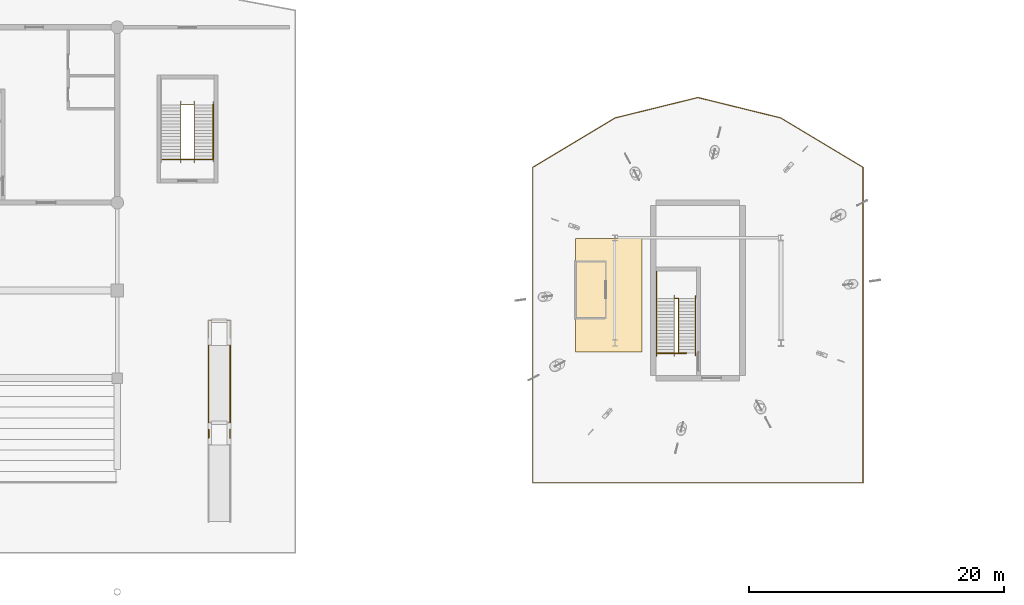
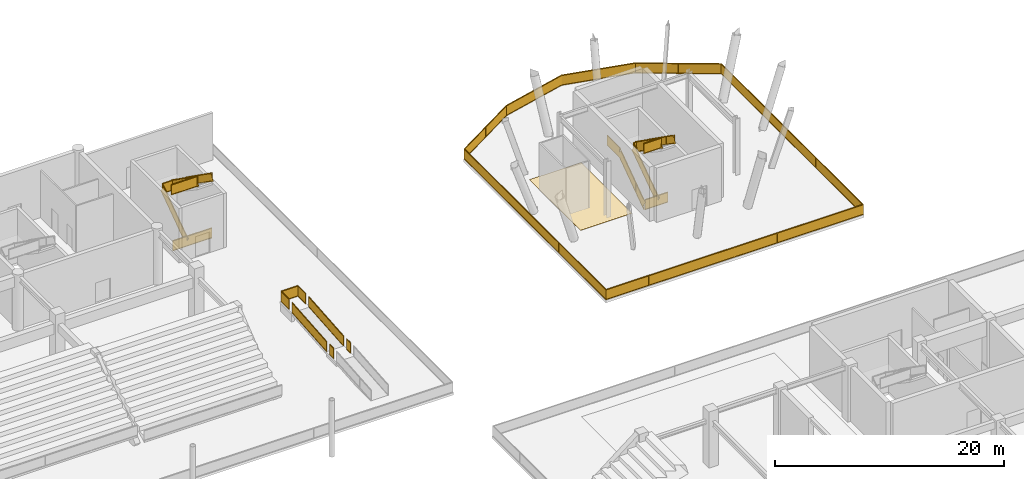
# One storey, part 72 of 73: 13 railings, 1 covering.
"""IFC4 building model written with IfcOpenShell, lengths in metres."""

import ifcopenshell
import ifcopenshell.guid

model = None  # the IFC model being written
_history = None  # IfcOwnerHistory: only IFC2X3 demands one
_inside = {}  # id of a spatial element -> (the spatial element, [elements in it])
_under = {}  # id of a project, library or spatial element -> (it, [spatial elements below it])
_declared = {}  # id of a project -> (the project, [libraries it declares])
_typed = {}  # id of a type object -> (the type object, [elements of that type])
_made_of = {}  # id of a material, layer set ... -> (it, [elements and type objects made of it])


def new_model(schema):
    """Start an empty IFC model of exactly this schema.

    Asked for "IFC4X3", IfcOpenShell would pick the latest addendum, in which some entities
    have other attributes; the version numbers below select the first issue.
    IFC2X3 requires an IfcOwnerHistory on every rooted entity: one is made here for all.
    """
    global model, _history
    if schema == "IFC4X3":
        model = ifcopenshell.file(schema_version=(4, 3, 0, 0))
    else:
        model = ifcopenshell.file(schema=schema)
    _inside.clear()
    _under.clear()
    _declared.clear()
    _typed.clear()
    _made_of.clear()
    _history = None
    if model.schema == "IFC2X3":
        org = make("IfcOrganization", Name="unknown")
        user = make(
            "IfcPersonAndOrganization",
            ThePerson=make("IfcPerson", FamilyName="unknown"),
            TheOrganization=org,
        )
        app = make(
            "IfcApplication",
            ApplicationDeveloper=org,
            Version="unknown",
            ApplicationFullName="unknown",
            ApplicationIdentifier="unknown",
        )
        _history = make(
            "IfcOwnerHistory",
            OwningUser=user,
            OwningApplication=app,
            ChangeAction="ADDED",
            CreationDate=0,
        )
    return model


def make(cls, **values):
    """One entity of the class cls with the attributes given. An attribute that is None is left unset."""
    return model.create_entity(
        cls, **{name: value for name, value in values.items() if value is not None}
    )


def rooted(cls, **values):
    """An entity with a GlobalId (a new one), such as an element, a storey or a relation."""
    return make(cls, GlobalId=ifcopenshell.guid.new(), OwnerHistory=_history, **values)


def si_unit(unit_type, name, prefix=None):
    """IfcSIUnit, for example si_unit("LENGTHUNIT", "METRE", prefix="MILLI")."""
    return make("IfcSIUnit", UnitType=unit_type, Prefix=prefix, Name=name)


def assignment(units):
    """IfcUnitAssignment: the units of a project."""
    return None if units is None else make("IfcUnitAssignment", Units=units)


def point(xyz):
    """IfcCartesianPoint."""
    return None if xyz is None else make("IfcCartesianPoint", Coordinates=xyz)


def direction(xyz):
    """IfcDirection."""
    return None if xyz is None else make("IfcDirection", DirectionRatios=xyz)


def frame(location, z_axis=None, x_axis=None):
    """IfcAxis2Placement3D, a coordinate frame: its origin and axes. An axis left out is left unset."""
    return make(
        "IfcAxis2Placement3D",
        Location=point(location),
        Axis=direction(z_axis),
        RefDirection=direction(x_axis),
    )


def frame_2d(location, x_axis=None):
    """IfcAxis2Placement2D, a coordinate frame in the plane: its origin and x axis."""
    return make(
        "IfcAxis2Placement2D", Location=point(location), RefDirection=direction(x_axis)
    )


def origin():
    """The frame at (0, 0, 0) with its axes left unset."""
    return frame((0.0, 0.0, 0.0))


def origin_2d():
    """The frame at (0, 0) in the plane with its x axis left unset."""
    return frame_2d((0.0, 0.0))


def place(relative_to, where):
    """IfcLocalPlacement: puts the frame where relative to a parent placement (None: the world)."""
    return make(
        "IfcLocalPlacement", PlacementRelTo=relative_to, RelativePlacement=where
    )


def context(
    kind, dimensions, precision=None, world=None, true_north=None, identifier=None
):
    """IfcGeometricRepresentationContext, for example the 3D "Model" context."""
    return make(
        "IfcGeometricRepresentationContext",
        ContextIdentifier=identifier,
        ContextType=kind,
        CoordinateSpaceDimension=dimensions,
        Precision=precision,
        WorldCoordinateSystem=world,
        TrueNorth=true_north,
    )


def subcontext(parent, identifier, kind, view, scale=None):
    """IfcGeometricRepresentationSubContext, for example "Body" below "Model"."""
    return make(
        "IfcGeometricRepresentationSubContext",
        ContextIdentifier=identifier,
        ContextType=kind,
        ParentContext=parent,
        TargetScale=scale,
        TargetView=view,
    )


def project(units=None, contexts=None):
    """IfcProject with its units and contexts."""
    return rooted(
        "IfcProject",
        Name="project",
        RepresentationContexts=contexts,
        UnitsInContext=assignment(units),
    )


def spatial(cls, under=None, at=None, **own):
    """A site, building, storey or space (cls), placed at a placement, below another one or the project."""
    s = rooted(cls, ObjectPlacement=at, **own)
    if under is not None:
        _under.setdefault(under.id(), (under, []))[1].append(s)
    return s


def polyline(points):
    """IfcPolyline through the points."""
    return make("IfcPolyline", Points=[point(p) for p in points])


def profile(cls, at=None, kind="AREA", **sizes):
    """A parametric profile (cls). Its sizes go by their IFC names, for example OverallWidth=200.0."""
    return make(cls, ProfileType=kind, Position=at, **sizes)


def rectangle(**sizes):
    """IfcRectangleProfileDef."""
    return profile("IfcRectangleProfileDef", **sizes)


def outline(outer, holes=None, kind="AREA"):
    """IfcArbitraryClosedProfileDef: a profile drawn as a closed curve; with holes, ...WithVoids."""
    if holes is None:
        return make("IfcArbitraryClosedProfileDef", ProfileType=kind, OuterCurve=outer)
    return make(
        "IfcArbitraryProfileDefWithVoids",
        ProfileType=kind,
        OuterCurve=outer,
        InnerCurves=holes,
    )


def extrude(swept, where, along, depth):
    """IfcExtrudedAreaSolid: the profile swept, set in the frame where, extruded along a direction by depth."""
    return make(
        "IfcExtrudedAreaSolid",
        SweptArea=swept,
        Position=where,
        ExtrudedDirection=direction(along),
        Depth=depth,
    )


def shape(context_of_items, identifier, shape_type, items):
    """IfcShapeRepresentation: the items that make up one representation, for example the "Body"."""
    return make(
        "IfcShapeRepresentation",
        ContextOfItems=context_of_items,
        RepresentationIdentifier=identifier,
        RepresentationType=shape_type,
        Items=items,
    )


def material(Name=None, Category=None):
    """IfcMaterial."""
    return make("IfcMaterial", Name=Name, Category=Category)


def layer(
    of_material, thickness, ventilated=None, Name=None, Category=None, Priority=None
):
    """IfcMaterialLayer: one layer of a wall or slab, of a material (None: an air gap)."""
    return make(
        "IfcMaterialLayer",
        Material=of_material,
        LayerThickness=thickness,
        IsVentilated=ventilated,
        Name=Name,
        Category=Category,
        Priority=Priority,
    )


def layer_set(layers, Name=None):
    """IfcMaterialLayerSet."""
    return make("IfcMaterialLayerSet", MaterialLayers=layers, LayerSetName=Name)


def made_of(thing, what):
    """Note that an element or type object is made of a material, layer set ...; save() writes the relation."""
    if what is not None:
        _made_of.setdefault(what.id(), (what, []))[1].append(thing)
    return thing


def type_object(cls, material=None, **own):
    """A type object (cls), such as IfcWallType, which elements share."""
    return made_of(rooted(cls, **own), material)


def element(
    cls,
    number,
    at=None,
    inside=None,
    cuts=None,
    type_object=None,
    material=None,
    context=None,
    identifier="Body",
    shape_type=None,
    held_by="IfcProductDefinitionShape",
    body=None,
    shapes=None,
    **own,
):
    """One element of the class cls, such as IfcWall. Its Tag is "e" and its number.

    at: its placement. inside: the storey or other place that contains it. cuts: it is an
    opening in that element (IfcRelVoidsElement). A single representation is given by context,
    identifier, shape_type and body (its items); several are given by shapes. held_by: the class
    of the entity that holds the representations. save() writes the other relations.
    """
    e = rooted(cls, Tag="e%d" % number, ObjectPlacement=at, **own)
    if body is not None:
        shapes = [shape(context, identifier, shape_type, body)]
    if shapes is not None:
        e.Representation = make(held_by, Representations=shapes)
    if inside is not None:
        _inside.setdefault(inside.id(), (inside, []))[1].append(e)
    if cuts is not None:
        rooted(
            "IfcRelVoidsElement", RelatingBuildingElement=cuts, RelatedOpeningElement=e
        )
    if type_object is not None:
        _typed.setdefault(type_object.id(), (type_object, []))[1].append(e)
    return made_of(e, material)


def aggregate(whole, parts):
    """IfcRelAggregates: a whole, such as a stair, and the parts it consists of."""
    return rooted("IfcRelAggregates", RelatingObject=whole, RelatedObjects=parts)


def save(model, path):
    """Write the relations noted so far, then the file.

    IfcRelAggregates (storeys below a building ...), IfcRelContainedInSpatialStructure (elements
    in a storey), IfcRelDefinesByType, IfcRelAssociatesMaterial and IfcRelDeclares: one each for
    every whole, place, type object, material and project.
    """
    for whole, parts in _under.values():
        aggregate(whole, parts)
    for where, things in _inside.values():
        rooted(
            "IfcRelContainedInSpatialStructure",
            RelatedElements=things,
            RelatingStructure=where,
        )
    for kind, things in _typed.values():
        rooted("IfcRelDefinesByType", RelatedObjects=things, RelatingType=kind)
    for what, things in _made_of.values():
        rooted("IfcRelAssociatesMaterial", RelatedObjects=things, RelatingMaterial=what)
    for by, libraries in _declared.values():
        rooted("IfcRelDeclares", RelatingContext=by, RelatedDefinitions=libraries)
    model.write(path)


model = new_model("IFC4")

# Units and contexts
model_context = context("Model", 3, precision=1e-05, world=origin(), true_north=direction((0.0, 1.0)))
body_context = subcontext(model_context, "Body", "Model", "MODEL_VIEW")
ifc_project = project(units=[si_unit("LENGTHUNIT", "METRE"), si_unit("AREAUNIT", "SQUARE_METRE"), si_unit("VOLUMEUNIT", "CUBIC_METRE"), si_unit("PLANEANGLEUNIT", "RADIAN"), si_unit("MASSUNIT", "GRAM", prefix="KILO")], contexts=[model_context])

# Site, building, storey
site_placement = place(None, origin())
site = spatial("IfcSite", under=ifc_project, at=site_placement, CompositionType="ELEMENT")
building_placement = place(site_placement, origin())
building = spatial("IfcBuilding", under=site, at=building_placement, Name="Linyun Crest Stadium", CompositionType="ELEMENT")
storey_placement = place(building_placement, origin())
storey = spatial("IfcBuildingStorey", under=building, at=storey_placement, Name="L01", CompositionType="ELEMENT", Elevation=0.0)

# Covering
ifc_material_1 = material(Name="Polymeric cushioned multi-sport athletic flooring")
ifc_layer = layer(ifc_material_1, 0.01806640625)
ifc_layer_set = layer_set([ifc_layer], Name="Polymeric cushioned multi-sport athletic flooring")
covering_type = type_object("IfcCoveringType", Name="FLR01", PredefinedType="FLOORING", material=ifc_layer_set)
covering_placement = place(storey_placement, origin())
element("IfcCovering", 1, at=covering_placement, inside=storey, type_object=covering_type, Name="Athletic flooring FLR01 69", PredefinedType="FLOORING", context=body_context, shape_type="SweptSolid", body=[
    extrude(outline(polyline([(63.89990234375, 79.800048828125), (69.10009765625, 79.800048828125), (69.10009765625, 88.699951171875), (63.89990234375, 88.699951171875), (63.89990234375, 79.800048828125)])), origin(), (0.0, 0.0, 1.0), 0.01806640625),
])

# Railings
ifc_material_2 = material(Name="Verdigris painted steel botanical balustrade", Category="steel")
railing_type_1 = type_object("IfcRailingType", Name="GR01", PredefinedType="BALUSTRADE", material=ifc_material_2)
railing_1_placement = place(storey_placement, frame((35.159912109375, 73.077880859375, 0.5)))
element("IfcRailing", 2, at=railing_1_placement, inside=storey, type_object=railing_type_1, Name="Slab edge balustrade GR01 409", PredefinedType="BALUSTRADE", context=body_context, shape_type="SweptSolid", body=[
    extrude(rectangle(XDim=0.06005859375, YDim=0.06005859375, at=origin_2d()), frame((0.0, 0.0, 1.119873046875), z_axis=(0.0, 1.0, 0.0), x_axis=(-1.0, 0.0, 0.0)), (0.0, 0.0, 1.0), 0.64404296875),
    extrude(rectangle(XDim=0.030029296875, YDim=1.02978515625, at=origin_2d()), frame((0.0, 0.0, 0.574951171875), z_axis=(0.0, 1.0, 0.0), x_axis=(-1.0, 0.0, 0.0)), (0.0, 0.0, 1.0), 0.64404296875),
    extrude(rectangle(XDim=0.06005859375, YDim=0.06005859375, at=origin_2d()), frame((0.0, 0.0, 0.030029296875), z_axis=(0.0, 1.0, 0.0), x_axis=(-1.0, 0.0, 0.0)), (0.0, 0.0, 1.0), 0.64404296875),
    extrude(rectangle(XDim=0.050048828125, YDim=0.050048828125, at=origin_2d()), origin(), (0.0, 0.0, 1.0), 1.14990234375),
    extrude(rectangle(XDim=0.050048828125, YDim=0.050048828125, at=origin_2d()), frame((0.0, 0.64404296875, 0.0)), (0.0, 0.0, 1.0), 1.14990234375),
])
railing_2_placement = place(storey_placement, frame((36.840087890625, 73.721923828125, 0.5)))
element("IfcRailing", 3, at=railing_2_placement, inside=storey, type_object=railing_type_1, Name="Slab edge balustrade GR01 410", PredefinedType="BALUSTRADE", context=body_context, shape_type="SweptSolid", body=[
    extrude(rectangle(XDim=0.06005859375, YDim=0.06005859375, at=origin_2d()), frame((0.0, 0.0, 1.119873046875), z_axis=(0.0, -1.0, 0.0), x_axis=(1.0, 0.0, 0.0)), (0.0, 0.0, 1.0), 0.64404296875),
    extrude(rectangle(XDim=0.030029296875, YDim=1.02978515625, at=origin_2d()), frame((0.0, 0.0, 0.574951171875), z_axis=(0.0, -1.0, 0.0), x_axis=(1.0, 0.0, 0.0)), (0.0, 0.0, 1.0), 0.64404296875),
    extrude(rectangle(XDim=0.06005859375, YDim=0.06005859375, at=origin_2d()), frame((0.0, 0.0, 0.030029296875), z_axis=(0.0, -1.0, 0.0), x_axis=(1.0, 0.0, 0.0)), (0.0, 0.0, 1.0), 0.64404296875),
    extrude(rectangle(XDim=0.050048828125, YDim=0.050048828125, at=origin_2d()), origin(), (0.0, 0.0, 1.0), 1.14990234375),
    extrude(rectangle(XDim=0.050048828125, YDim=0.050048828125, at=origin_2d()), frame((0.0, -0.64404296875, 0.0)), (0.0, 0.0, 1.0), 1.14990234375),
])
railing_3_placement = place(storey_placement, frame((35.159912109375, 80.8779296875, 1.0)))
element("IfcRailing", 4, at=railing_3_placement, inside=storey, type_object=railing_type_1, Name="Slab edge balustrade GR01 411", PredefinedType="BALUSTRADE", context=body_context, shape_type="SweptSolid", body=[
    extrude(rectangle(XDim=0.06005859375, YDim=0.06005859375, at=origin_2d()), frame((0.0, 0.0, 1.119873046875), z_axis=(0.0, 1.0, 0.0), x_axis=(-1.0, 0.0, 0.0)), (0.0, 0.0, 1.0), 1.362060546875),
    extrude(rectangle(XDim=0.030029296875, YDim=1.02978515625, at=origin_2d()), frame((0.0, 0.0, 0.574951171875), z_axis=(0.0, 1.0, 0.0), x_axis=(-1.0, 0.0, 0.0)), (0.0, 0.0, 1.0), 1.362060546875),
    extrude(rectangle(XDim=0.06005859375, YDim=0.06005859375, at=origin_2d()), frame((0.0, 0.0, 0.030029296875), z_axis=(0.0, 1.0, 0.0), x_axis=(-1.0, 0.0, 0.0)), (0.0, 0.0, 1.0), 1.362060546875),
    extrude(rectangle(XDim=0.06005859375, YDim=0.06005859375, at=origin_2d()), frame((0.0, 1.362060546875, 1.119873046875), z_axis=(1.0, 0.0, 0.0), x_axis=(0.0, 1.0, 0.0)), (0.0, 0.0, 1.0), 1.68017578125),
    extrude(rectangle(XDim=0.030029296875, YDim=1.02978515625, at=origin_2d()), frame((0.0, 1.362060546875, 0.574951171875), z_axis=(1.0, 0.0, 0.0), x_axis=(0.0, 1.0, 0.0)), (0.0, 0.0, 1.0), 1.68017578125),
    extrude(rectangle(XDim=0.06005859375, YDim=0.06005859375, at=origin_2d()), frame((0.0, 1.362060546875, 0.030029296875), z_axis=(1.0, 0.0, 0.0), x_axis=(0.0, 1.0, 0.0)), (0.0, 0.0, 1.0), 1.68017578125),
    extrude(rectangle(XDim=0.06005859375, YDim=0.06005859375, at=origin_2d()), frame((1.68017578125, 1.362060546875, 1.119873046875), z_axis=(0.0, -1.0, 0.0), x_axis=(1.0, 0.0, 0.0)), (0.0, 0.0, 1.0), 1.362060546875),
    extrude(rectangle(XDim=0.030029296875, YDim=1.02978515625, at=origin_2d()), frame((1.68017578125, 1.362060546875, 0.574951171875), z_axis=(0.0, -1.0, 0.0), x_axis=(1.0, 0.0, 0.0)), (0.0, 0.0, 1.0), 1.362060546875),
    extrude(rectangle(XDim=0.06005859375, YDim=0.06005859375, at=origin_2d()), frame((1.68017578125, 1.362060546875, 0.030029296875), z_axis=(0.0, -1.0, 0.0), x_axis=(1.0, 0.0, 0.0)), (0.0, 0.0, 1.0), 1.362060546875),
    extrude(rectangle(XDim=0.050048828125, YDim=0.050048828125, at=origin_2d()), origin(), (0.0, 0.0, 1.0), 1.14990234375),
    extrude(rectangle(XDim=0.050048828125, YDim=0.050048828125, at=origin_2d()), frame((0.0, 1.362060546875, 0.0)), (0.0, 0.0, 1.0), 1.14990234375),
    extrude(rectangle(XDim=0.050048828125, YDim=0.050048828125, at=origin_2d()), frame((1.68017578125, 1.362060546875, 0.0)), (0.0, 0.0, 1.0), 1.14990234375),
    extrude(rectangle(XDim=0.050048828125, YDim=0.050048828125, at=origin_2d()), frame((1.68017578125, 0.0, 0.0)), (0.0, 0.0, 1.0), 1.14990234375),
])
ifc_material_3 = material(Name="Galvanized and powder-coated steel bowl safety barrier", Category="steel")
railing_type_2 = type_object("IfcRailingType", Name="GR02", PredefinedType="GUARDRAIL", material=ifc_material_3)
railing_4_placement = place(storey_placement, frame((31.5400390625, 94.889892578125, 0.0)))
element("IfcRailing", 5, at=railing_4_placement, inside=storey, type_object=railing_type_2, Name="Slab edge balustrade GR02 192", PredefinedType="GUARDRAIL", context=body_context, shape_type="SweptSolid", body=[
    extrude(rectangle(XDim=0.06005859375, YDim=0.06005859375, at=origin_2d()), frame((0.0, 0.0, 1.090087890625), z_axis=(1.0, 0.0, 0.0), x_axis=(0.0, 1.0, 0.0)), (0.0, 0.0, 1.0), 3.919921875),
    extrude(rectangle(XDim=0.030029296875, YDim=1.0, at=origin_2d()), frame((0.0, 0.0, 0.56005859375), z_axis=(1.0, 0.0, 0.0), x_axis=(0.0, 1.0, 0.0)), (0.0, 0.0, 1.0), 3.919921875),
    extrude(rectangle(XDim=0.06005859375, YDim=0.06005859375, at=origin_2d()), frame((0.0, 0.0, 0.030029296875), z_axis=(1.0, 0.0, 0.0), x_axis=(0.0, 1.0, 0.0)), (0.0, 0.0, 1.0), 3.919921875),
    extrude(rectangle(XDim=0.050048828125, YDim=0.050048828125, at=origin_2d()), origin(), (0.0, 0.0, 1.0), 1.1201171875),
    extrude(rectangle(XDim=0.050048828125, YDim=0.050048828125, at=origin_2d()), frame((3.919921875, 0.0, 0.0)), (0.0, 0.0, 1.0), 1.1201171875),
])
railing_5_placement = place(storey_placement, frame((60.56005859375, 69.56005859375, 0.0)))
element("IfcRailing", 6, at=railing_5_placement, inside=storey, type_object=railing_type_2, Name="Slab edge balustrade GR02 331", PredefinedType="GUARDRAIL", context=body_context, shape_type="SweptSolid", body=[
    extrude(rectangle(XDim=0.06005859375, YDim=0.06005859375, at=origin_2d()), frame((0.0, 0.0, 1.090087890625), z_axis=(0.0, 1.0, 0.0), x_axis=(-1.0, 0.0, 0.0)), (0.0, 0.0, 1.0), 24.7060546875),
    extrude(rectangle(XDim=0.030029296875, YDim=1.0, at=origin_2d()), frame((0.0, 0.0, 0.56005859375), z_axis=(0.0, 1.0, 0.0), x_axis=(-1.0, 0.0, 0.0)), (0.0, 0.0, 1.0), 24.7060546875),
    extrude(rectangle(XDim=0.06005859375, YDim=0.06005859375, at=origin_2d()), frame((0.0, 0.0, 0.030029296875), z_axis=(0.0, 1.0, 0.0), x_axis=(-1.0, 0.0, 0.0)), (0.0, 0.0, 1.0), 24.7060546875),
    extrude(rectangle(XDim=0.06005859375, YDim=0.06005859375, at=origin_2d()), frame((0.0, 24.7060546875, 1.090087890625), z_axis=(0.857481493024, 0.514514809429, 0.0), x_axis=(-0.514514809429, 0.857481493024, 0.0)), (0.0, 0.0, 1.0), 7.537109375),
    extrude(rectangle(XDim=0.030029296875, YDim=1.0, at=origin_2d()), frame((0.0, 24.7060546875, 0.56005859375), z_axis=(0.857481493024, 0.514514809429, 0.0), x_axis=(-0.514514809429, 0.857481493024, 0.0)), (0.0, 0.0, 1.0), 7.537109375),
    extrude(rectangle(XDim=0.06005859375, YDim=0.06005859375, at=origin_2d()), frame((0.0, 24.7060546875, 0.030029296875), z_axis=(0.857481493024, 0.514514809429, 0.0), x_axis=(-0.514514809429, 0.857481493024, 0.0)), (0.0, 0.0, 1.0), 7.537109375),
    extrude(rectangle(XDim=0.06005859375, YDim=0.06005859375, at=origin_2d()), frame((6.462890625, 28.583984375, 1.090087890625), z_axis=(0.971027293085, 0.238968608992, 0.0), x_axis=(-0.238968608992, 0.971027293085, 0.0)), (0.0, 0.0, 1.0), 6.67041015625),
    extrude(rectangle(XDim=0.030029296875, YDim=1.0, at=origin_2d()), frame((6.462890625, 28.583984375, 0.56005859375), z_axis=(0.971027293085, 0.238968608992, 0.0), x_axis=(-0.238968608992, 0.971027293085, 0.0)), (0.0, 0.0, 1.0), 6.67041015625),
    extrude(rectangle(XDim=0.06005859375, YDim=0.06005859375, at=origin_2d()), frame((6.462890625, 28.583984375, 0.030029296875), z_axis=(0.971027293085, 0.238968608992, 0.0), x_axis=(-0.238968608992, 0.971027293085, 0.0)), (0.0, 0.0, 1.0), 6.67041015625),
    extrude(rectangle(XDim=0.06005859375, YDim=0.06005859375, at=origin_2d()), frame((12.93994140625, 30.177978515625, 1.090087890625), z_axis=(0.971027293085, -0.238968608992, 0.0), x_axis=(0.238968608992, 0.971027293085, 0.0)), (0.0, 0.0, 1.0), 6.67041015625),
    extrude(rectangle(XDim=0.030029296875, YDim=1.0, at=origin_2d()), frame((12.93994140625, 30.177978515625, 0.56005859375), z_axis=(0.971027293085, -0.238968608992, 0.0), x_axis=(0.238968608992, 0.971027293085, 0.0)), (0.0, 0.0, 1.0), 6.67041015625),
    extrude(rectangle(XDim=0.06005859375, YDim=0.06005859375, at=origin_2d()), frame((12.93994140625, 30.177978515625, 0.030029296875), z_axis=(0.971027293085, -0.238968608992, 0.0), x_axis=(0.238968608992, 0.971027293085, 0.0)), (0.0, 0.0, 1.0), 6.67041015625),
    extrude(rectangle(XDim=0.06005859375, YDim=0.06005859375, at=origin_2d()), frame((19.4169921875, 28.583984375, 1.090087890625), z_axis=(0.857481493024, -0.514514809429, 0.0), x_axis=(0.514514809429, 0.857481493024, 0.0)), (0.0, 0.0, 1.0), 7.537109375),
    extrude(rectangle(XDim=0.030029296875, YDim=1.0, at=origin_2d()), frame((19.4169921875, 28.583984375, 0.56005859375), z_axis=(0.857481493024, -0.514514809429, 0.0), x_axis=(0.514514809429, 0.857481493024, 0.0)), (0.0, 0.0, 1.0), 7.537109375),
    extrude(rectangle(XDim=0.06005859375, YDim=0.06005859375, at=origin_2d()), frame((19.4169921875, 28.583984375, 0.030029296875), z_axis=(0.857481493024, -0.514514809429, 0.0), x_axis=(0.514514809429, 0.857481493024, 0.0)), (0.0, 0.0, 1.0), 7.537109375),
    extrude(rectangle(XDim=0.06005859375, YDim=0.06005859375, at=origin_2d()), frame((25.8798828125, 24.7060546875, 1.090087890625), z_axis=(0.0, -1.0, 0.0), x_axis=(1.0, 0.0, 0.0)), (0.0, 0.0, 1.0), 24.7060546875),
    extrude(rectangle(XDim=0.030029296875, YDim=1.0, at=origin_2d()), frame((25.8798828125, 24.7060546875, 0.56005859375), z_axis=(0.0, -1.0, 0.0), x_axis=(1.0, 0.0, 0.0)), (0.0, 0.0, 1.0), 24.7060546875),
    extrude(rectangle(XDim=0.06005859375, YDim=0.06005859375, at=origin_2d()), frame((25.8798828125, 24.7060546875, 0.030029296875), z_axis=(0.0, -1.0, 0.0), x_axis=(1.0, 0.0, 0.0)), (0.0, 0.0, 1.0), 24.7060546875),
    extrude(rectangle(XDim=0.06005859375, YDim=0.06005859375, at=origin_2d()), frame((25.8798828125, 0.0, 1.090087890625), z_axis=(-1.0, 0.0, 0.0), x_axis=(0.0, -1.0, 0.0)), (0.0, 0.0, 1.0), 25.8798828125),
    extrude(rectangle(XDim=0.030029296875, YDim=1.0, at=origin_2d()), frame((25.8798828125, 0.0, 0.56005859375), z_axis=(-1.0, 0.0, 0.0), x_axis=(0.0, -1.0, 0.0)), (0.0, 0.0, 1.0), 25.8798828125),
    extrude(rectangle(XDim=0.06005859375, YDim=0.06005859375, at=origin_2d()), frame((25.8798828125, 0.0, 0.030029296875), z_axis=(-1.0, 0.0, 0.0), x_axis=(0.0, -1.0, 0.0)), (0.0, 0.0, 1.0), 25.8798828125),
    extrude(rectangle(XDim=0.050048828125, YDim=0.050048828125, at=origin_2d()), origin(), (0.0, 0.0, 1.0), 1.1201171875),
    extrude(rectangle(XDim=0.050048828125, YDim=0.050048828125, at=origin_2d()), frame((0.0, 4.11767578125, 0.0)), (0.0, 0.0, 1.0), 1.1201171875),
    extrude(rectangle(XDim=0.050048828125, YDim=0.050048828125, at=origin_2d()), frame((0.0, 8.2353515625, 0.0)), (0.0, 0.0, 1.0), 1.1201171875),
    extrude(rectangle(XDim=0.050048828125, YDim=0.050048828125, at=origin_2d()), frame((0.0, 12.35302734375, 0.0)), (0.0, 0.0, 1.0), 1.1201171875),
    extrude(rectangle(XDim=0.050048828125, YDim=0.050048828125, at=origin_2d()), frame((0.0, 16.470703125, 0.0)), (0.0, 0.0, 1.0), 1.1201171875),
    extrude(rectangle(XDim=0.050048828125, YDim=0.050048828125, at=origin_2d()), frame((0.0, 20.58837890625, 0.0)), (0.0, 0.0, 1.0), 1.1201171875),
    extrude(rectangle(XDim=0.050048828125, YDim=0.050048828125, at=origin_2d()), frame((0.0, 24.7060546875, 0.0)), (0.0, 0.0, 1.0), 1.1201171875),
    extrude(rectangle(XDim=0.050048828125, YDim=0.050048828125, at=origin_2d()), frame((3.2314453125, 26.64501953125, 0.0)), (0.0, 0.0, 1.0), 1.1201171875),
    extrude(rectangle(XDim=0.050048828125, YDim=0.050048828125, at=origin_2d()), frame((6.462890625, 28.583984375, 0.0)), (0.0, 0.0, 1.0), 1.1201171875),
    extrude(rectangle(XDim=0.050048828125, YDim=0.050048828125, at=origin_2d()), frame((9.701416015625, 29.380859375, 0.0)), (0.0, 0.0, 1.0), 1.1201171875),
    extrude(rectangle(XDim=0.050048828125, YDim=0.050048828125, at=origin_2d()), frame((12.93994140625, 30.177978515625, 0.0)), (0.0, 0.0, 1.0), 1.1201171875),
    extrude(rectangle(XDim=0.050048828125, YDim=0.050048828125, at=origin_2d()), frame((16.178466796875, 29.380859375, 0.0)), (0.0, 0.0, 1.0), 1.1201171875),
    extrude(rectangle(XDim=0.050048828125, YDim=0.050048828125, at=origin_2d()), frame((19.4169921875, 28.583984375, 0.0)), (0.0, 0.0, 1.0), 1.1201171875),
    extrude(rectangle(XDim=0.050048828125, YDim=0.050048828125, at=origin_2d()), frame((22.6484375, 26.64501953125, 0.0)), (0.0, 0.0, 1.0), 1.1201171875),
    extrude(rectangle(XDim=0.050048828125, YDim=0.050048828125, at=origin_2d()), frame((25.8798828125, 24.7060546875, 0.0)), (0.0, 0.0, 1.0), 1.1201171875),
    extrude(rectangle(XDim=0.050048828125, YDim=0.050048828125, at=origin_2d()), frame((25.8798828125, 20.58837890625, 0.0)), (0.0, 0.0, 1.0), 1.1201171875),
    extrude(rectangle(XDim=0.050048828125, YDim=0.050048828125, at=origin_2d()), frame((25.8798828125, 16.470703125, 0.0)), (0.0, 0.0, 1.0), 1.1201171875),
    extrude(rectangle(XDim=0.050048828125, YDim=0.050048828125, at=origin_2d()), frame((25.8798828125, 12.35302734375, 0.0)), (0.0, 0.0, 1.0), 1.1201171875),
    extrude(rectangle(XDim=0.050048828125, YDim=0.050048828125, at=origin_2d()), frame((25.8798828125, 8.2353515625, 0.0)), (0.0, 0.0, 1.0), 1.1201171875),
    extrude(rectangle(XDim=0.050048828125, YDim=0.050048828125, at=origin_2d()), frame((25.8798828125, 4.11767578125, 0.0)), (0.0, 0.0, 1.0), 1.1201171875),
    extrude(rectangle(XDim=0.050048828125, YDim=0.050048828125, at=origin_2d()), frame((25.8798828125, 0.0, 0.0)), (0.0, 0.0, 1.0), 1.1201171875),
    extrude(rectangle(XDim=0.050048828125, YDim=0.050048828125, at=origin_2d()), frame((21.566650390625, 0.0, 0.0)), (0.0, 0.0, 1.0), 1.1201171875),
    extrude(rectangle(XDim=0.050048828125, YDim=0.050048828125, at=origin_2d()), frame((17.253173828125, 0.0, 0.0)), (0.0, 0.0, 1.0), 1.1201171875),
    extrude(rectangle(XDim=0.050048828125, YDim=0.050048828125, at=origin_2d()), frame((12.93994140625, 0.0, 0.0)), (0.0, 0.0, 1.0), 1.1201171875),
    extrude(rectangle(XDim=0.050048828125, YDim=0.050048828125, at=origin_2d()), frame((8.626708984375, 0.0, 0.0)), (0.0, 0.0, 1.0), 1.1201171875),
    extrude(rectangle(XDim=0.050048828125, YDim=0.050048828125, at=origin_2d()), frame((4.313232421875, 0.0, 0.0)), (0.0, 0.0, 1.0), 1.1201171875),
])
railing_6_placement = place(storey_placement, frame((70.364990234375, 79.7099609375, 0.0)))
element("IfcRailing", 7, at=railing_6_placement, inside=storey, type_object=railing_type_2, Name="Slab edge balustrade GR02 332", PredefinedType="GUARDRAIL", context=body_context, shape_type="SweptSolid", body=[
    extrude(rectangle(XDim=0.06005859375, YDim=0.06005859375, at=origin_2d()), frame((0.0, 0.0, 1.090087890625), z_axis=(1.0, 0.0, 0.0), x_axis=(0.0, 1.0, 0.0)), (0.0, 0.0, 1.0), 2.235107421875),
    extrude(rectangle(XDim=0.030029296875, YDim=1.0, at=origin_2d()), frame((0.0, 0.0, 0.56005859375), z_axis=(1.0, 0.0, 0.0), x_axis=(0.0, 1.0, 0.0)), (0.0, 0.0, 1.0), 2.235107421875),
    extrude(rectangle(XDim=0.06005859375, YDim=0.06005859375, at=origin_2d()), frame((0.0, 0.0, 0.030029296875), z_axis=(1.0, 0.0, 0.0), x_axis=(0.0, 1.0, 0.0)), (0.0, 0.0, 1.0), 2.235107421875),
    extrude(rectangle(XDim=0.050048828125, YDim=0.050048828125, at=origin_2d()), origin(), (0.0, 0.0, 1.0), 1.1201171875),
    extrude(rectangle(XDim=0.050048828125, YDim=0.050048828125, at=origin_2d()), frame((2.235107421875, 0.0, 0.0)), (0.0, 0.0, 1.0), 1.1201171875),
])
ifc_material_4 = material(Name="Painted steel stairwell safety guard", Category="steel")
railing_type_3 = type_object("IfcRailingType", Name="GR03", PredefinedType="GUARDRAIL", material=ifc_material_4)
railing_7_placement = place(storey_placement, frame((70.2548828125, 79.739990234375, 0.0)))
element("IfcRailing", 8, at=railing_7_placement, inside=storey, type_object=railing_type_3, Name="STR-12-L01 outer guard", PredefinedType="GUARDRAIL", context=body_context, shape_type="SweptSolid", body=[
    extrude(rectangle(XDim=0.06005859375, YDim=0.06005859375, at=origin_2d()), frame((0.0, 0.0, 1.090087890625), z_axis=(0.0, 0.816967863265, 0.576683197599), x_axis=(-1.0, 0.0, 0.0)), (0.0, 0.0, 1.0), 5.2021484375),
    extrude(rectangle(XDim=0.030029296875, YDim=1.0, at=origin_2d()), frame((0.0, 0.0, 0.56005859375), z_axis=(0.0, 0.816967863265, 0.576683197599), x_axis=(-1.0, 0.0, 0.0)), (0.0, 0.0, 1.0), 5.2021484375),
    extrude(rectangle(XDim=0.06005859375, YDim=0.06005859375, at=origin_2d()), frame((0.0, 0.0, 0.030029296875), z_axis=(0.0, 0.816967863265, 0.576683197599), x_axis=(-1.0, 0.0, 0.0)), (0.0, 0.0, 1.0), 5.2021484375),
    extrude(rectangle(XDim=0.06005859375, YDim=0.06005859375, at=origin_2d()), frame((0.0, 4.25, 4.090087890625), z_axis=(0.0, 1.0, 0.0), x_axis=(-1.0, 0.0, 0.0)), (0.0, 0.0, 1.0), 2.130126953125),
    extrude(rectangle(XDim=0.030029296875, YDim=1.0, at=origin_2d()), frame((0.0, 4.25, 3.56005859375), z_axis=(0.0, 1.0, 0.0), x_axis=(-1.0, 0.0, 0.0)), (0.0, 0.0, 1.0), 2.130126953125),
    extrude(rectangle(XDim=0.06005859375, YDim=0.06005859375, at=origin_2d()), frame((0.0, 4.25, 3.030029296875), z_axis=(0.0, 1.0, 0.0), x_axis=(-1.0, 0.0, 0.0)), (0.0, 0.0, 1.0), 2.130126953125),
    extrude(rectangle(XDim=0.050048828125, YDim=0.050048828125, at=origin_2d()), origin(), (0.0, 0.0, 1.0), 1.1201171875),
    extrude(rectangle(XDim=0.050048828125, YDim=0.050048828125, at=origin_2d()), frame((0.0, 1.416748046875, 1.0)), (0.0, 0.0, 1.0), 1.1201171875),
    extrude(rectangle(XDim=0.050048828125, YDim=0.050048828125, at=origin_2d()), frame((0.0, 2.833251953125, 2.0)), (0.0, 0.0, 1.0), 1.1201171875),
    extrude(rectangle(XDim=0.050048828125, YDim=0.050048828125, at=origin_2d()), frame((0.0, 4.25, 3.0)), (0.0, 0.0, 1.0), 1.1201171875),
    extrude(rectangle(XDim=0.050048828125, YDim=0.050048828125, at=origin_2d()), frame((0.0, 5.31494140625, 3.0)), (0.0, 0.0, 1.0), 1.1201171875),
    extrude(rectangle(XDim=0.050048828125, YDim=0.050048828125, at=origin_2d()), frame((0.0, 6.380126953125, 3.0)), (0.0, 0.0, 1.0), 1.1201171875),
])
railing_8_placement = place(storey_placement, frame((71.64501953125, 79.719970703125, 0.0)))
element("IfcRailing", 9, at=railing_8_placement, inside=storey, type_object=railing_type_3, Name="STR-12-L01 inner well guard", PredefinedType="GUARDRAIL", context=body_context, shape_type="SweptSolid", body=[
    extrude(rectangle(XDim=0.06005859375, YDim=0.06005859375, at=origin_2d()), frame((0.0, 0.0, 1.090087890625), z_axis=(0.0, 0.818241657069, 0.574874412926), x_axis=(-1.0, 0.0, 0.0)), (0.0, 0.0, 1.0), 5.218505859375),
    extrude(rectangle(XDim=0.030029296875, YDim=1.0, at=origin_2d()), frame((0.0, 0.0, 0.56005859375), z_axis=(0.0, 0.818241657069, 0.574874412926), x_axis=(-1.0, 0.0, 0.0)), (0.0, 0.0, 1.0), 5.218505859375),
    extrude(rectangle(XDim=0.06005859375, YDim=0.06005859375, at=origin_2d()), frame((0.0, 0.0, 0.030029296875), z_axis=(0.0, 0.818241657069, 0.574874412926), x_axis=(-1.0, 0.0, 0.0)), (0.0, 0.0, 1.0), 5.218505859375),
    extrude(rectangle(XDim=0.06005859375, YDim=0.06005859375, at=origin_2d()), frame((0.0, 4.27001953125, 4.090087890625), z_axis=(1.0, 0.0, 0.0), x_axis=(0.0, 1.0, 0.0)), (0.0, 0.0, 1.0), 0.3349609375),
    extrude(rectangle(XDim=0.030029296875, YDim=1.0, at=origin_2d()), frame((0.0, 4.27001953125, 3.56005859375), z_axis=(1.0, 0.0, 0.0), x_axis=(0.0, 1.0, 0.0)), (0.0, 0.0, 1.0), 0.3349609375),
    extrude(rectangle(XDim=0.06005859375, YDim=0.06005859375, at=origin_2d()), frame((0.0, 4.27001953125, 3.030029296875), z_axis=(1.0, 0.0, 0.0), x_axis=(0.0, 1.0, 0.0)), (0.0, 0.0, 1.0), 0.3349609375),
    extrude(rectangle(XDim=0.06005859375, YDim=0.06005859375, at=origin_2d()), frame((0.3349609375, 4.27001953125, 4.090087890625), z_axis=(0.0, -0.818241657069, 0.574874412926), x_axis=(1.0, 0.0, 0.0)), (0.0, 0.0, 1.0), 5.218505859375),
    extrude(rectangle(XDim=0.030029296875, YDim=1.0, at=origin_2d()), frame((0.3349609375, 4.27001953125, 3.56005859375), z_axis=(0.0, -0.818241657069, 0.574874412926), x_axis=(1.0, 0.0, 0.0)), (0.0, 0.0, 1.0), 5.218505859375),
    extrude(rectangle(XDim=0.06005859375, YDim=0.06005859375, at=origin_2d()), frame((0.3349609375, 4.27001953125, 3.030029296875), z_axis=(0.0, -0.818241657069, 0.574874412926), x_axis=(1.0, 0.0, 0.0)), (0.0, 0.0, 1.0), 5.218505859375),
    extrude(rectangle(XDim=0.06005859375, YDim=0.06005859375, at=origin_2d()), frame((0.3349609375, 0.0, 7.090087890625), z_axis=(-1.0, 0.0, 0.0), x_axis=(0.0, -1.0, 0.0)), (0.0, 0.0, 1.0), 1.73486328125),
    extrude(rectangle(XDim=0.030029296875, YDim=1.0, at=origin_2d()), frame((0.3349609375, 0.0, 6.56005859375), z_axis=(-1.0, 0.0, 0.0), x_axis=(0.0, -1.0, 0.0)), (0.0, 0.0, 1.0), 1.73486328125),
    extrude(rectangle(XDim=0.06005859375, YDim=0.06005859375, at=origin_2d()), frame((0.3349609375, 0.0, 6.030029296875), z_axis=(-1.0, 0.0, 0.0), x_axis=(0.0, -1.0, 0.0)), (0.0, 0.0, 1.0), 1.73486328125),
    extrude(rectangle(XDim=0.050048828125, YDim=0.050048828125, at=origin_2d()), origin(), (0.0, 0.0, 1.0), 1.1201171875),
    extrude(rectangle(XDim=0.050048828125, YDim=0.050048828125, at=origin_2d()), frame((0.0, 1.42333984375, 1.0)), (0.0, 0.0, 1.0), 1.1201171875),
    extrude(rectangle(XDim=0.050048828125, YDim=0.050048828125, at=origin_2d()), frame((0.0, 2.8466796875, 2.0)), (0.0, 0.0, 1.0), 1.1201171875),
    extrude(rectangle(XDim=0.050048828125, YDim=0.050048828125, at=origin_2d()), frame((0.0, 4.27001953125, 3.0)), (0.0, 0.0, 1.0), 1.1201171875),
    extrude(rectangle(XDim=0.050048828125, YDim=0.050048828125, at=origin_2d()), frame((0.3349609375, 4.27001953125, 3.0)), (0.0, 0.0, 1.0), 1.1201171875),
    extrude(rectangle(XDim=0.050048828125, YDim=0.050048828125, at=origin_2d()), frame((0.3349609375, 2.8466796875, 4.0)), (0.0, 0.0, 1.0), 1.1201171875),
    extrude(rectangle(XDim=0.050048828125, YDim=0.050048828125, at=origin_2d()), frame((0.3349609375, 1.42333984375, 5.0)), (0.0, 0.0, 1.0), 1.1201171875),
    extrude(rectangle(XDim=0.050048828125, YDim=0.050048828125, at=origin_2d()), frame((0.3349609375, 0.0, 6.0)), (0.0, 0.0, 1.0), 1.1201171875),
    extrude(rectangle(XDim=0.050048828125, YDim=0.050048828125, at=origin_2d()), frame((-1.39990234375, 0.0, 6.0)), (0.0, 0.0, 1.0), 1.1201171875),
])
railing_9_placement = place(storey_placement, frame((32.969970703125, 94.89990234375, 0.0)))
element("IfcRailing", 10, at=railing_9_placement, inside=storey, type_object=railing_type_3, Name="STR-26-L01 inner well guard", PredefinedType="GUARDRAIL", context=body_context, shape_type="SweptSolid", body=[
    extrude(rectangle(XDim=0.06005859375, YDim=0.06005859375, at=origin_2d()), frame((0.0, 0.0, 1.090087890625), z_axis=(0.0, 0.818241657069, 0.574874412926), x_axis=(-1.0, 0.0, 0.0)), (0.0, 0.0, 1.0), 5.218505859375),
    extrude(rectangle(XDim=0.030029296875, YDim=1.0, at=origin_2d()), frame((0.0, 0.0, 0.56005859375), z_axis=(0.0, 0.818241657069, 0.574874412926), x_axis=(-1.0, 0.0, 0.0)), (0.0, 0.0, 1.0), 5.218505859375),
    extrude(rectangle(XDim=0.06005859375, YDim=0.06005859375, at=origin_2d()), frame((0.0, 0.0, 0.030029296875), z_axis=(0.0, 0.818241657069, 0.574874412926), x_axis=(-1.0, 0.0, 0.0)), (0.0, 0.0, 1.0), 5.218505859375),
    extrude(rectangle(XDim=0.06005859375, YDim=0.06005859375, at=origin_2d()), frame((0.0, 4.27001953125, 4.090087890625), z_axis=(1.0, 0.0, 0.0), x_axis=(0.0, 1.0, 0.0)), (0.0, 0.0, 1.0), 1.06005859375),
    extrude(rectangle(XDim=0.030029296875, YDim=1.0, at=origin_2d()), frame((0.0, 4.27001953125, 3.56005859375), z_axis=(1.0, 0.0, 0.0), x_axis=(0.0, 1.0, 0.0)), (0.0, 0.0, 1.0), 1.06005859375),
    extrude(rectangle(XDim=0.06005859375, YDim=0.06005859375, at=origin_2d()), frame((0.0, 4.27001953125, 3.030029296875), z_axis=(1.0, 0.0, 0.0), x_axis=(0.0, 1.0, 0.0)), (0.0, 0.0, 1.0), 1.06005859375),
    extrude(rectangle(XDim=0.06005859375, YDim=0.06005859375, at=origin_2d()), frame((1.06005859375, 4.27001953125, 4.090087890625), z_axis=(0.0, -0.818241657069, 0.574874412926), x_axis=(1.0, 0.0, 0.0)), (0.0, 0.0, 1.0), 5.218505859375),
    extrude(rectangle(XDim=0.030029296875, YDim=1.0, at=origin_2d()), frame((1.06005859375, 4.27001953125, 3.56005859375), z_axis=(0.0, -0.818241657069, 0.574874412926), x_axis=(1.0, 0.0, 0.0)), (0.0, 0.0, 1.0), 5.218505859375),
    extrude(rectangle(XDim=0.06005859375, YDim=0.06005859375, at=origin_2d()), frame((1.06005859375, 4.27001953125, 3.030029296875), z_axis=(0.0, -0.818241657069, 0.574874412926), x_axis=(1.0, 0.0, 0.0)), (0.0, 0.0, 1.0), 5.218505859375),
    extrude(rectangle(XDim=0.06005859375, YDim=0.06005859375, at=origin_2d()), frame((1.06005859375, 0.0, 7.090087890625), z_axis=(-1.0, 0.0, 0.0), x_axis=(0.0, -1.0, 0.0)), (0.0, 0.0, 1.0), 2.610107421875),
    extrude(rectangle(XDim=0.030029296875, YDim=1.0, at=origin_2d()), frame((1.06005859375, 0.0, 6.56005859375), z_axis=(-1.0, 0.0, 0.0), x_axis=(0.0, -1.0, 0.0)), (0.0, 0.0, 1.0), 2.610107421875),
    extrude(rectangle(XDim=0.06005859375, YDim=0.06005859375, at=origin_2d()), frame((1.06005859375, 0.0, 6.030029296875), z_axis=(-1.0, 0.0, 0.0), x_axis=(0.0, -1.0, 0.0)), (0.0, 0.0, 1.0), 2.610107421875),
    extrude(rectangle(XDim=0.050048828125, YDim=0.050048828125, at=origin_2d()), origin(), (0.0, 0.0, 1.0), 1.1201171875),
    extrude(rectangle(XDim=0.050048828125, YDim=0.050048828125, at=origin_2d()), frame((0.0, 1.42333984375, 1.0)), (0.0, 0.0, 1.0), 1.1201171875),
    extrude(rectangle(XDim=0.050048828125, YDim=0.050048828125, at=origin_2d()), frame((0.0, 2.8466796875, 2.0)), (0.0, 0.0, 1.0), 1.1201171875),
    extrude(rectangle(XDim=0.050048828125, YDim=0.050048828125, at=origin_2d()), frame((0.0, 4.27001953125, 3.0)), (0.0, 0.0, 1.0), 1.1201171875),
    extrude(rectangle(XDim=0.050048828125, YDim=0.050048828125, at=origin_2d()), frame((1.06005859375, 4.27001953125, 3.0)), (0.0, 0.0, 1.0), 1.1201171875),
    extrude(rectangle(XDim=0.050048828125, YDim=0.050048828125, at=origin_2d()), frame((1.06005859375, 2.8466796875, 4.0)), (0.0, 0.0, 1.0), 1.1201171875),
    extrude(rectangle(XDim=0.050048828125, YDim=0.050048828125, at=origin_2d()), frame((1.06005859375, 1.42333984375, 5.0)), (0.0, 0.0, 1.0), 1.1201171875),
    extrude(rectangle(XDim=0.050048828125, YDim=0.050048828125, at=origin_2d()), frame((1.06005859375, 0.0, 6.0)), (0.0, 0.0, 1.0), 1.1201171875),
    extrude(rectangle(XDim=0.050048828125, YDim=0.050048828125, at=origin_2d()), frame((-0.2451171875, 0.0, 6.0)), (0.0, 0.0, 1.0), 1.1201171875),
    extrude(rectangle(XDim=0.050048828125, YDim=0.050048828125, at=origin_2d()), frame((-1.550048828125, 0.0, 6.0)), (0.0, 0.0, 1.0), 1.1201171875),
])
for number, where, name in (
    (11, (35.14990234375, 74.300048828125, 0.5), "RMP-08 guard 2W"),
    (12, (36.85009765625, 74.300048828125, 0.5), "RMP-08 guard 2E"),
):
    element("IfcRailing", number, at=place(storey_placement, frame(where)), inside=storey, type_object=railing_type_3, Name=name, PredefinedType="GUARDRAIL", context=body_context, shape_type="SweptSolid", body=[
        extrude(rectangle(XDim=0.06005859375, YDim=0.06005859375, at=origin_2d()), frame((0.0, 0.0, 1.090087890625), z_axis=(0.0, 0.996545758245, 0.083045479854), x_axis=(-1.0, 0.0, 0.0)), (0.0, 0.0, 1.0), 6.020751953125),
        extrude(rectangle(XDim=0.030029296875, YDim=1.0, at=origin_2d()), frame((0.0, 0.0, 0.56005859375), z_axis=(0.0, 0.996545758245, 0.083045479854), x_axis=(-1.0, 0.0, 0.0)), (0.0, 0.0, 1.0), 6.020751953125),
        extrude(rectangle(XDim=0.06005859375, YDim=0.06005859375, at=origin_2d()), frame((0.0, 0.0, 0.030029296875), z_axis=(0.0, 0.996545758245, 0.083045479854), x_axis=(-1.0, 0.0, 0.0)), (0.0, 0.0, 1.0), 6.020751953125),
        extrude(rectangle(XDim=0.050048828125, YDim=0.050048828125, at=origin_2d()), origin(), (0.0, 0.0, 1.0), 1.1201171875),
        extrude(rectangle(XDim=0.050048828125, YDim=0.050048828125, at=origin_2d()), frame((0.0, 2.0, 0.166748046875)), (0.0, 0.0, 1.0), 1.1201171875),
        extrude(rectangle(XDim=0.050048828125, YDim=0.050048828125, at=origin_2d()), frame((0.0, 4.0, 0.333251953125)), (0.0, 0.0, 1.0), 1.1201171875),
        extrude(rectangle(XDim=0.050048828125, YDim=0.050048828125, at=origin_2d()), frame((0.0, 6.0, 0.5)), (0.0, 0.0, 1.0), 1.1201171875),
    ])
ifc_material_5 = material(Name="Brushed stainless steel tubular handrail", Category="steel")
railing_type_4 = type_object("IfcRailingType", Name="HR01", PredefinedType="HANDRAIL", material=ifc_material_5)
for number, where, name in (
    (13, (73.320068359375, 83.989990234375, 3.0), "STR-12-L01 handrail"),
    (14, (35.52001953125, 99.169921875, 3.0), "STR-26-L01 handrail"),
):
    element("IfcRailing", number, at=place(storey_placement, frame(where)), inside=storey, type_object=railing_type_4, Name=name, PredefinedType="HANDRAIL", context=body_context, shape_type="SweptSolid", body=[
        extrude(rectangle(XDim=0.06005859375, YDim=0.06005859375, at=origin_2d()), frame((0.0, 0.0, 0.889892578125), z_axis=(0.0, -0.816967863265, 0.576683197599), x_axis=(1.0, 0.0, 0.0)), (0.0, 0.0, 1.0), 5.2021484375),
        extrude(rectangle(XDim=0.030029296875, YDim=0.7998046875, at=origin_2d()), frame((0.0, 0.0, 0.4599609375), z_axis=(0.0, -0.816967863265, 0.576683197599), x_axis=(1.0, 0.0, 0.0)), (0.0, 0.0, 1.0), 5.2021484375),
        extrude(rectangle(XDim=0.06005859375, YDim=0.06005859375, at=origin_2d()), frame((0.0, 0.0, 0.030029296875), z_axis=(0.0, -0.816967863265, 0.576683197599), x_axis=(1.0, 0.0, 0.0)), (0.0, 0.0, 1.0), 5.2021484375),
        extrude(rectangle(XDim=0.050048828125, YDim=0.050048828125, at=origin_2d()), origin(), (0.0, 0.0, 1.0), 0.919921875),
        extrude(rectangle(XDim=0.050048828125, YDim=0.050048828125, at=origin_2d()), frame((0.0, -1.416748046875, 1.0)), (0.0, 0.0, 1.0), 0.919921875),
        extrude(rectangle(XDim=0.050048828125, YDim=0.050048828125, at=origin_2d()), frame((0.0, -2.833251953125, 2.0)), (0.0, 0.0, 1.0), 0.919921875),
        extrude(rectangle(XDim=0.050048828125, YDim=0.050048828125, at=origin_2d()), frame((0.0, -4.25, 3.0)), (0.0, 0.0, 1.0), 0.919921875),
    ])

save(model, "model.ifc")
